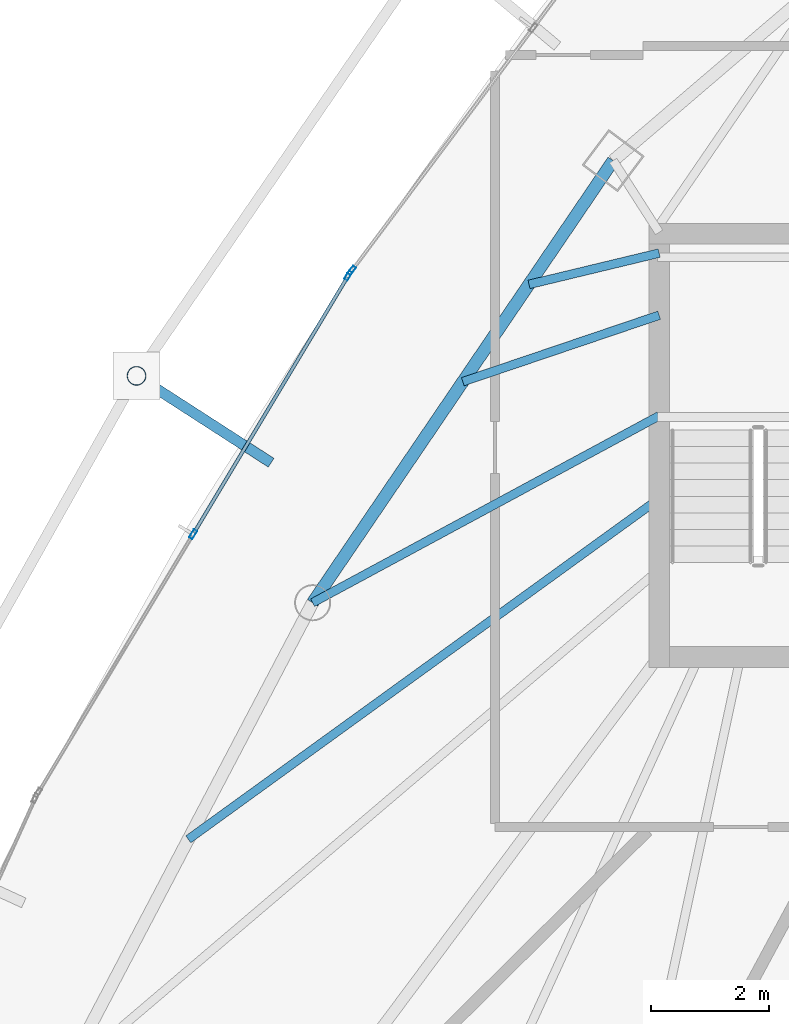
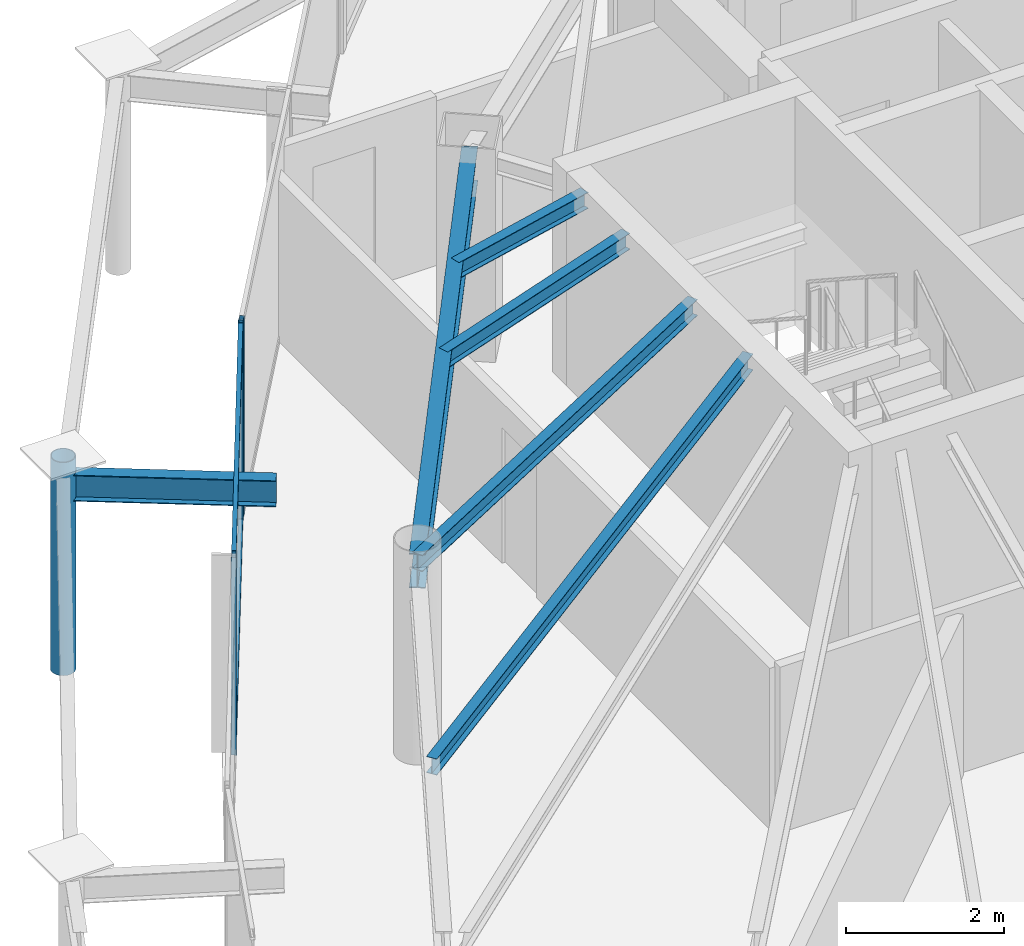
# One storey, part 13 of 34: 6 beams, 6 members, 2 elements without a shape of their own.
"""IFC4 building model written with IfcOpenShell, lengths in metres."""

from ifc_helpers import new_model, si_unit, direction, frame, origin, origin_2d, place, context, subcontext, project, spatial, hollow_rectangle, hollow_circle, i_section, extrude, material, layer, layer_set, material_profile, profile_set, type_object, element, aggregate, save


model = new_model("IFC4")

# Units and contexts
model_context = context("Model", 3, precision=1e-05, world=origin(), true_north=direction((0.0, 1.0)))
body_context = subcontext(model_context, "Body", "Model", "MODEL_VIEW")
ifc_project = project(units=[si_unit("LENGTHUNIT", "METRE"), si_unit("AREAUNIT", "SQUARE_METRE"), si_unit("VOLUMEUNIT", "CUBIC_METRE"), si_unit("PLANEANGLEUNIT", "RADIAN"), si_unit("MASSUNIT", "GRAM", prefix="KILO")], contexts=[model_context])

# Site, building, storey
site_placement = place(None, origin())
site = spatial("IfcSite", under=ifc_project, at=site_placement, CompositionType="ELEMENT")
building_placement = place(site_placement, origin())
building = spatial("IfcBuilding", under=site, at=building_placement, Name="Orvanel Arch Residences", CompositionType="ELEMENT")
storey_placement = place(building_placement, frame((0.0, 0.0, 203.0)))
storey = spatial("IfcBuildingStorey", under=building, at=storey_placement, Name="L57", CompositionType="ELEMENT", Elevation=203.0)

# Beams
ifc_material_1 = material(Name="Structural steel AS/NZS 3679.1 Grade 300 (300 MPa)", Category="steel")
ifc_material_profile_1 = material_profile(ifc_material_1, i_section(OverallWidth=0.14599609375, OverallDepth=0.251953125, WebThickness=0.006103515625, FlangeThickness=0.008544921875, at=origin_2d()), Name="250UB31.4")
ifc_profile_set_1 = profile_set([ifc_material_profile_1], Name="Structural steel AS/NZS 3679.1 Grade 300 (300 MPa)")
beam_type_1 = type_object("IfcBeamType", Name="BJ-250UB", PredefinedType="JOIST", material=ifc_profile_set_1)
beam_1_placement = place(storey_placement, frame((26.425048828125, 30.800048828125, 2.93408203125), z_axis=(-0.880111494021, -0.474767056664, 0.0), x_axis=(0.474767056664, -0.880111494021, 0.0)))
element("IfcBeam", 1, at=beam_1_placement, inside=storey, type_object=beam_type_1, Name="L57 NW Wing Floor Joist", PredefinedType="JOIST", context=body_context, shape_type="SweptSolid", body=[
    extrude(i_section(OverallWidth=0.14599609375, OverallDepth=0.251953125, WebThickness=0.006103515625, FlangeThickness=0.008544921875, at=origin_2d()), origin(), (0.0, 0.0, 1.0), 6.653564453125),
])
beam_2_placement = place(storey_placement, frame((26.425048828125, 32.5, 2.93408203125), z_axis=(-0.947187956478, -0.320678928373, 0.0), x_axis=(0.320678928373, -0.947187956478, 0.0)))
element("IfcBeam", 2, at=beam_2_placement, inside=storey, type_object=beam_type_1, Name="L57 WNW Wing Floor Joist", PredefinedType="JOIST", context=body_context, shape_type="SweptSolid", body=[
    extrude(i_section(OverallWidth=0.14599609375, OverallDepth=0.251953125, WebThickness=0.006103515625, FlangeThickness=0.008544921875, at=origin_2d()), origin(), (0.0, 0.0, 1.0), 3.502197265625),
])
beam_3_placement = place(storey_placement, frame((26.425048828125, 29.39990234375, 2.93408203125), z_axis=(-0.810144032972, -0.586230881002, 0.0), x_axis=(0.586230881002, -0.810144032972, 0.0)))
element("IfcBeam", 3, at=beam_3_placement, inside=storey, type_object=beam_type_1, Name="L57 CTW Wing Floor Joist", PredefinedType="JOIST", context=body_context, shape_type="SweptSolid", body=[
    extrude(i_section(OverallWidth=0.14599609375, OverallDepth=0.251953125, WebThickness=0.006103515625, FlangeThickness=0.008544921875, at=origin_2d()), origin(), (0.0, 0.0, 1.0), 9.82177734375),
])
beam_4_placement = place(storey_placement, frame((26.425048828125, 33.550048828125, 2.93408203125), z_axis=(-0.972256833016, -0.23391590509, 0.0), x_axis=(0.23391590509, -0.972256833016, 0.0)))
element("IfcBeam", 4, at=beam_4_placement, inside=storey, type_object=beam_type_1, Name="L57 JADD3 Wing Floor Joist", PredefinedType="JOIST", context=body_context, shape_type="SweptSolid", body=[
    extrude(i_section(OverallWidth=0.14599609375, OverallDepth=0.251953125, WebThickness=0.006103515625, FlangeThickness=0.008544921875, at=origin_2d()), origin(), (0.0, 0.0, 1.0), 2.26171875),
])

# Curtain wall, member
ifc_material_2 = material(Name="Bronze-anodised aluminium AA6063-T6", Category="aluminium")
ifc_layer = layer(ifc_material_2, 0.175048828125)
ifc_layer_set = layer_set([ifc_layer], Name="Bronze-anodised aluminium AA6063-T6")
curtain_wall_type = type_object("IfcCurtainWallType", Name="CW4-HI-SYS", PredefinedType="NOTDEFINED", material=ifc_layer_set)
curtain_wall_1_placement = place(storey_placement, origin())
curtain_wall_1 = element("IfcCurtainWall", 5, at=curtain_wall_1_placement, inside=storey, type_object=curtain_wall_type, Name="L57 CW4-HI-SYS Unitised Curtain Wall", PredefinedType="NOTDEFINED")
ifc_material_profile_2 = material_profile(ifc_material_2, hollow_rectangle(XDim=0.06494140625, YDim=0.159912109375, WallThickness=0.00390625, at=origin_2d()), Name="ALU160x65x4")
ifc_profile_set_2 = profile_set([ifc_material_profile_2], Name="Bronze-anodised aluminium AA6063-T6")
member_type_1 = type_object("IfcMemberType", Name="MUL-160x65", PredefinedType="MULLION", material=ifc_profile_set_2)
member_1_placement = place(storey_placement, frame((21.2294921875, 33.255126953125, 0.0), z_axis=(0.0, 0.0, 1.0), x_axis=(0.800790783216, -0.598944172287, 0.0)))
member_1 = element("IfcMember", 6, at=member_1_placement, type_object=member_type_1, Name="CW-S4 mullion 3", PredefinedType="MULLION", context=body_context, shape_type="SweptSolid", body=[
    extrude(hollow_rectangle(XDim=0.06494140625, YDim=0.159912109375, WallThickness=0.00390625, at=origin_2d()), origin(), (0.0, 0.0, 1.0), 3.06005859375),
])
aggregate(curtain_wall_1, [member_1])

# Curtain wall, members
curtain_wall_2_placement = place(storey_placement, origin())
curtain_wall_2 = element("IfcCurtainWall", 7, at=curtain_wall_2_placement, inside=storey, type_object=curtain_wall_type, Name="L57 CW4-HI-SYS Unitised Curtain Wall", PredefinedType="NOTDEFINED")
member_2_placement = place(storey_placement, frame((21.17138671875, 33.168212890625, 0.0), z_axis=(0.0, 0.0, 1.0), x_axis=(0.857492925713, -0.514495755426, 0.0)))
member_2 = element("IfcMember", 8, at=member_2_placement, type_object=member_type_1, Name="CW-S4 mullion 1", PredefinedType="MULLION", context=body_context, shape_type="SweptSolid", body=[
    extrude(hollow_rectangle(XDim=0.06494140625, YDim=0.159912109375, WallThickness=0.00390625, at=origin_2d()), origin(), (0.0, 0.0, 1.0), 3.06005859375),
])
member_3_placement = place(storey_placement, frame((18.549560546875, 28.798583984375, 0.0), z_axis=(0.0, 0.0, 1.0), x_axis=(0.857492925713, -0.514495755426, 0.0)))
member_3 = element("IfcMember", 9, at=member_3_placement, type_object=member_type_1, Name="CW-S4 mullion 2", PredefinedType="MULLION", context=body_context, shape_type="SweptSolid", body=[
    extrude(hollow_rectangle(XDim=0.06494140625, YDim=0.159912109375, WallThickness=0.00390625, at=origin_2d()), origin(), (0.0, 0.0, 1.0), 3.06005859375),
])

# Beams
ifc_material_profile_3 = material_profile(ifc_material_1, i_section(OverallWidth=0.177978515625, OverallDepth=0.406005859375, WebThickness=0.0078125, FlangeThickness=0.0126953125, at=origin_2d()), Name="410UB59.7")
ifc_profile_set_3 = profile_set([ifc_material_profile_3], Name="Structural steel AS/NZS 3679.1 Grade 300 (300 MPa)")
beam_type_2 = type_object("IfcBeamType", Name="OB-410UB-EXT", PredefinedType="SPANDREL", material=ifc_profile_set_3)
beam_5_placement = place(storey_placement, frame((19.867919921875, 30.007080078125, 2.85693359375), z_axis=(-0.840239663799, 0.542215185493, 0.0), x_axis=(-0.542215185493, -0.840239663799, 0.0)))
element("IfcBeam", 10, at=beam_5_placement, inside=storey, type_object=beam_type_2, Name="L57 Outer Frame Radial Tie Beam 02", PredefinedType="SPANDREL", context=body_context, shape_type="SweptSolid", body=[
    extrude(i_section(OverallWidth=0.177978515625, OverallDepth=0.406005859375, WebThickness=0.0078125, FlangeThickness=0.0126953125, at=origin_2d()), origin(), (0.0, 0.0, 1.0), 2.70751953125),
])
ifc_material_profile_4 = material_profile(ifc_material_1, i_section(OverallWidth=0.208984375, OverallDepth=0.532958984375, WebThickness=0.01025390625, FlangeThickness=0.015625, at=origin_2d()), Name="530UB92.4")
ifc_profile_set_4 = profile_set([ifc_material_profile_4], Name="Structural steel AS/NZS 3679.1 Grade 300 (300 MPa)")
beam_type_3 = type_object("IfcBeamType", Name="SP-530UB", PredefinedType="SPANDREL", material=ifc_profile_set_4)
beam_6_placement = place(storey_placement, frame((25.64794921875, 35.113037109375, 2.79296875), z_axis=(-0.562154793153, -0.827032035978, 0.0), x_axis=(0.827032035978, -0.562154793153, 0.0)))
element("IfcBeam", 11, at=beam_6_placement, inside=storey, type_object=beam_type_3, Name="L57 Perimeter Spandrel Beam 11", PredefinedType="SPANDREL", context=body_context, shape_type="SweptSolid", body=[
    extrude(i_section(OverallWidth=0.208984375, OverallDepth=0.532958984375, WebThickness=0.01025390625, FlangeThickness=0.015625, at=origin_2d()), origin(), (0.0, 0.0, 1.0), 9.03466796875),
])

# Member
ifc_material_3 = material(Name="Structural steel AS/NZS 1163 C350L0 (Grade 350)", Category="steel")
ifc_material_profile_5 = material_profile(ifc_material_3, hollow_circle(Radius=0.162109375, WallThickness=0.0126953125, at=origin_2d()), Name="CHS324x12.7")
ifc_profile_set_5 = profile_set([ifc_material_profile_5], Name="Structural steel AS/NZS 1163 C350L0 (Grade 350)")
member_type_2 = type_object("IfcMemberType", Name="ST-324CHS-EXT", PredefinedType="STRUT", material=ifc_profile_set_5)
member_4_placement = place(storey_placement, frame((17.593017578125, 31.47509765625, 0.0), z_axis=(0.0, 0.0, 1.0), x_axis=(1.0, 0.0, 0.0)))
element("IfcMember", 12, at=member_4_placement, inside=storey, type_object=member_type_2, Name="L57 Outer Perimeter Frame Post 02", PredefinedType="STRUT", context=body_context, shape_type="SweptSolid", body=[
    extrude(hollow_circle(Radius=0.162109375, WallThickness=0.0126953125, at=origin_2d()), origin(), (0.0, 0.0, 1.0), 3.300048828125),
])

ifc_material_profile_6 = material_profile(ifc_material_2, hollow_rectangle(XDim=0.06005859375, YDim=0.1201171875, WallThickness=0.00341796875, at=origin_2d()), Name="ALU120x60x3.5")
ifc_profile_set_6 = profile_set([ifc_material_profile_6], Name="Bronze-anodised aluminium AA6063-T6")
member_type_3 = type_object("IfcMemberType", Name="TRN-120x60", PredefinedType="USERDEFINED", material=ifc_profile_set_6)
member_5_placement = place(storey_placement, frame((21.154541015625, 33.140380859375, 0.030029296875), z_axis=(-0.514495755428, -0.857492925713, 0.0), x_axis=(0.857492925713, -0.514495755428, 0.0)))
member_5 = element("IfcMember", 13, at=member_5_placement, type_object=member_type_3, Name="CW-S4 transom 1.1", ObjectType="TRANSOM", PredefinedType="USERDEFINED", context=body_context, shape_type="SweptSolid", body=[
    extrude(hollow_rectangle(XDim=0.06005859375, YDim=0.1201171875, WallThickness=0.00341796875, at=origin_2d()), origin(), (0.0, 0.0, 1.0), 5.031005859375),
])

member_6_placement = place(storey_placement, frame((21.154541015625, 33.140380859375, 3.030029296875), z_axis=(-0.514495755428, -0.857492925713, 0.0), x_axis=(0.857492925713, -0.514495755428, 0.0)))
member_6 = element("IfcMember", 14, at=member_6_placement, type_object=member_type_3, Name="CW-S4 transom 1.2", ObjectType="TRANSOM", PredefinedType="USERDEFINED", context=body_context, shape_type="SweptSolid", body=[
    extrude(hollow_rectangle(XDim=0.06005859375, YDim=0.1201171875, WallThickness=0.00341796875, at=origin_2d()), origin(), (0.0, 0.0, 1.0), 5.031005859375),
])

aggregate(curtain_wall_2, [member_2, member_3, member_5, member_6])

save(model, "model.ifc")
